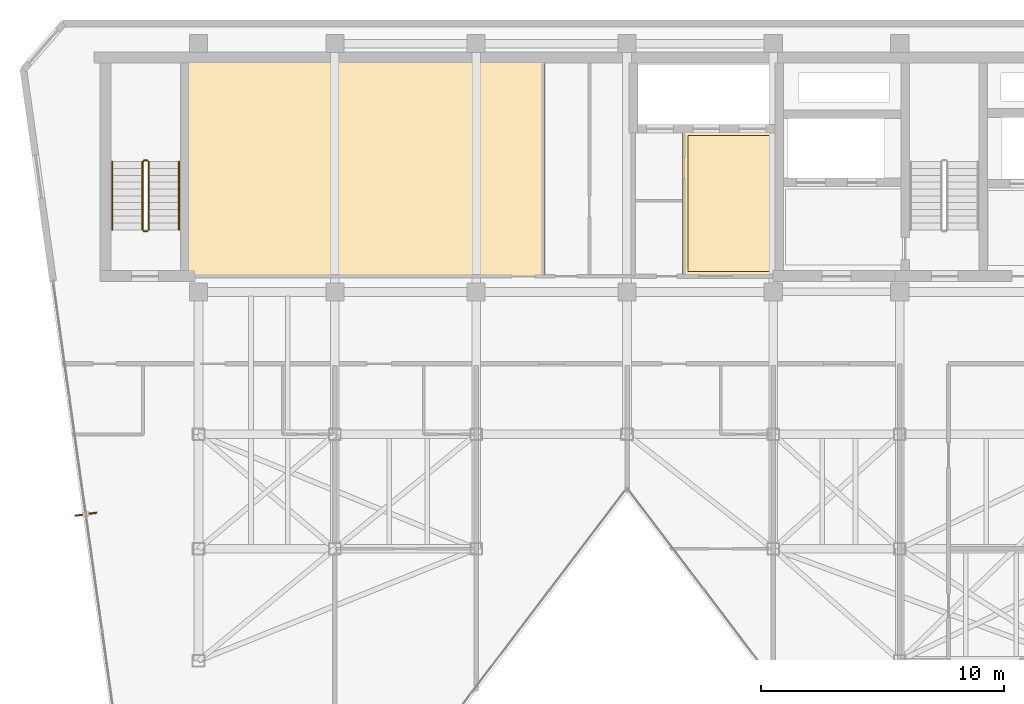
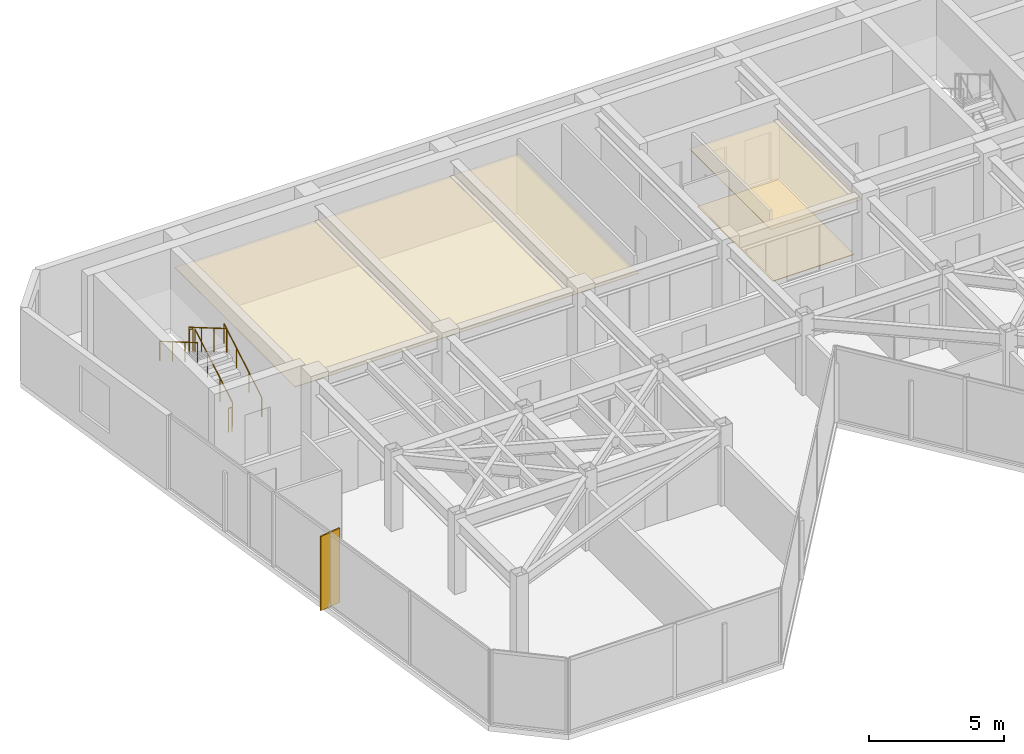
# One storey, part 19 of 20: 6 railings, 3 coverings, 1 shading device.
"""IFC4 building model written with IfcOpenShell, lengths in metres."""

from ifc_helpers import new_model, si_unit, direction, frame, origin, origin_2d, place, context, subcontext, project, spatial, polyline, rectangle, circle, outline, extrude, material, layer, layer_set, type_object, element, save


model = new_model("IFC4")

# Units and contexts
model_context = context("Model", 3, precision=1e-05, world=origin(), true_north=direction((0.0, 1.0)))
body_context = subcontext(model_context, "Body", "Model", "MODEL_VIEW")
ifc_project = project(units=[si_unit("LENGTHUNIT", "METRE"), si_unit("AREAUNIT", "SQUARE_METRE"), si_unit("VOLUMEUNIT", "CUBIC_METRE"), si_unit("PLANEANGLEUNIT", "RADIAN"), si_unit("MASSUNIT", "GRAM", prefix="KILO")], contexts=[model_context])

# Site, building, storey
site_placement = place(None, origin())
site = spatial("IfcSite", under=ifc_project, at=site_placement, CompositionType="ELEMENT")
building_placement = place(site_placement, origin())
building = spatial("IfcBuilding", under=site, at=building_placement, Name="Kravanh Interchange Tower", CompositionType="ELEMENT")
storey_placement = place(building_placement, frame((0.0, 0.0, 238.199951171875)))
storey = spatial("IfcBuildingStorey", under=building, at=storey_placement, Name="L57", CompositionType="ELEMENT", Elevation=238.199951171875)

# Coverings
ifc_material_1 = material(Name="Cementitious Terrazzo Tile")
ifc_layer_1 = layer(ifc_material_1, 0.030029296875)
ifc_layer_set_1 = layer_set([ifc_layer_1], Name="Honed Terrazzo Lobby Flooring 30mm")
covering_type_1 = type_object("IfcCoveringType", Name="Honed Terrazzo Lobby Flooring 30mm", PredefinedType="FLOORING", material=ifc_layer_set_1)
covering_1_placement = place(storey_placement, origin())
element("IfcCovering", 1, at=covering_1_placement, inside=storey, type_object=covering_type_1, Name="L57 High-Rise Lift Lobby Floor Finish", PredefinedType="FLOORING", context=body_context, shape_type="SweptSolid", body=[
    extrude(outline(polyline([(47.300048828125, 43.77001953125), (50.77001953125, 43.77001953125), (50.77001953125, 38.179931640625), (47.300048828125, 38.179931640625), (47.300048828125, 43.77001953125)])), origin(), (0.0, 0.0, 1.0), 0.030029296875),
])
ifc_material_2 = material(Name="Anodised Bronze Aluminium Acoustic Baffle", Category="aluminium")
ifc_layer_2 = layer(ifc_material_2, 0.034912109375)
ifc_layer_set_2 = layer_set([ifc_layer_2], Name="Linear Bronze Baffle Feature Ceiling 35mm")
covering_type_2 = type_object("IfcCoveringType", Name="Linear Bronze Baffle Feature Ceiling 35mm", PredefinedType="CEILING", material=ifc_layer_set_2)
covering_2_placement = place(storey_placement, frame((0.0, 0.0, 2.550048828125)))
element("IfcCovering", 2, at=covering_2_placement, inside=storey, type_object=covering_type_2, Name="L57 North Library Reading Lounge Suspended Ceiling", PredefinedType="CEILING", context=body_context, shape_type="SweptSolid", body=[
    extrude(outline(polyline([(41.429931640625, 46.889892578125), (41.429931640625, 37.9599609375), (26.7099609375, 37.9599609375), (26.7099609375, 46.889892578125), (41.429931640625, 46.889892578125)])), origin(), (0.0, 0.0, 1.0), 0.034912109375),
])
ifc_material_3 = material(Name="Acoustic Mineral Fibre Tile on Aluminium Grid", Category="aluminium")
ifc_layer_3 = layer(ifc_material_3, 0.02490234375)
ifc_layer_set_3 = layer_set([ifc_layer_3], Name="Perforated Acoustic Mineral Ceiling 25mm")
covering_type_3 = type_object("IfcCoveringType", Name="Perforated Acoustic Mineral Ceiling 25mm", PredefinedType="CEILING", material=ifc_layer_set_3)
covering_3_placement = place(storey_placement, frame((0.0, 0.0, 2.550048828125)))
element("IfcCovering", 3, at=covering_3_placement, inside=storey, type_object=covering_type_3, Name="L57 High-Rise Lift Lobby Suspended Ceiling", PredefinedType="CEILING", context=body_context, shape_type="SweptSolid", body=[
    extrude(outline(polyline([(50.989990234375, 37.9599609375), (47.080078125, 37.9599609375), (47.080078125, 43.989990234375), (50.989990234375, 43.989990234375), (50.989990234375, 37.9599609375)])), origin(), (0.0, 0.0, 1.0), 0.02490234375),
])

# Railings
ifc_material_4 = material(Name="Structural Steel S355", Category="steel")
ifc_layer_4 = layer(ifc_material_4, 0.050048828125)
ifc_layer_set_4 = layer_set([ifc_layer_4], Name="Stair Well Guardrail Structural Steel S355 1100mm")
railing_type_1 = type_object("IfcRailingType", Name="Stair Well Guardrail Structural Steel S355 1100mm", PredefinedType="GUARDRAIL", material=ifc_layer_set_4)
railing_1_placement = place(storey_placement, frame((25.14990234375, 39.89990234375, 0.16357421875)))
element("IfcRailing", 4, at=railing_1_placement, inside=storey, type_object=railing_type_1, Name="L57 ST3 stair guard 1", PredefinedType="GUARDRAIL", context=body_context, shape_type="SweptSolid", body=[
    extrude(circle(Radius=0.02392578125, at=origin_2d()), frame((0.0, 0.0, 1.076171875), z_axis=(0.0, 0.863360870873, 0.504586966384), x_axis=(-1.0, 0.0, 0.0)), (0.0, 0.0, 1.0), 3.2431640625),
    extrude(circle(Radius=0.02099609375, at=origin_2d()), origin(), (0.0, 0.0, 1.0), 1.052001953125),
    extrude(circle(Radius=0.02099609375, at=origin_2d()), frame((0.0, 0.933349609375, 0.54541015625)), (0.0, 0.0, 1.0), 1.052001953125),
    extrude(circle(Radius=0.02099609375, at=origin_2d()), frame((0.0, 1.86669921875, 1.091064453125)), (0.0, 0.0, 1.0), 1.052001953125),
    extrude(circle(Radius=0.02099609375, at=origin_2d()), frame((0.0, 2.800048828125, 1.636474609375)), (0.0, 0.0, 1.0), 1.052001953125),
])
railing_2_placement = place(storey_placement, frame((25.10009765625, 42.75, 1.800048828125)))
element("IfcRailing", 5, at=railing_2_placement, inside=storey, type_object=railing_type_1, Name="L57 ST3 stair guard 2", PredefinedType="GUARDRAIL", context=body_context, shape_type="SweptSolid", body=[
    extrude(circle(Radius=0.02392578125, at=origin_2d()), frame((0.0, 0.0, 1.076171875), z_axis=(-1.0, 0.0, 0.0), x_axis=(0.0, -1.0, 0.0)), (0.0, 0.0, 1.0), 0.150146484375),
    extrude(circle(Radius=0.02099609375, at=origin_2d()), origin(), (0.0, 0.0, 1.0), 1.052001953125),
    extrude(circle(Radius=0.02099609375, at=origin_2d()), frame((-0.150146484375, 0.0, 0.0)), (0.0, 0.0, 1.0), 1.052001953125),
])
railing_3_placement = place(storey_placement, frame((24.89990234375, 42.699951171875, 1.963623046875)))
element("IfcRailing", 6, at=railing_3_placement, inside=storey, type_object=railing_type_1, Name="L57 ST3 stair guard 3", PredefinedType="GUARDRAIL", context=body_context, shape_type="SweptSolid", body=[
    extrude(circle(Radius=0.02392578125, at=origin_2d()), frame((0.0, 0.0, 1.076171875), z_axis=(0.0, -0.863360870873, 0.504586966384), x_axis=(1.0, 0.0, 0.0)), (0.0, 0.0, 1.0), 3.2431640625),
    extrude(circle(Radius=0.02099609375, at=origin_2d()), origin(), (0.0, 0.0, 1.0), 1.052001953125),
    extrude(circle(Radius=0.02099609375, at=origin_2d()), frame((0.0, -0.933349609375, 0.54541015625)), (0.0, 0.0, 1.0), 1.052001953125),
    extrude(circle(Radius=0.02099609375, at=origin_2d()), frame((0.0, -1.86669921875, 1.091064453125)), (0.0, 0.0, 1.0), 1.052001953125),
    extrude(circle(Radius=0.02099609375, at=origin_2d()), frame((0.0, -2.800048828125, 1.636474609375)), (0.0, 0.0, 1.0), 1.052001953125),
])
railing_4_placement = place(storey_placement, frame((25.10009765625, 39.85009765625, 0.0)))
element("IfcRailing", 7, at=railing_4_placement, inside=storey, type_object=railing_type_1, Name="L57 ST3 stair guard 4", PredefinedType="GUARDRAIL", context=body_context, shape_type="SweptSolid", body=[
    extrude(circle(Radius=0.02392578125, at=origin_2d()), frame((0.0, 0.0, 1.076171875), z_axis=(-1.0, 0.0, 0.0), x_axis=(0.0, -1.0, 0.0)), (0.0, 0.0, 1.0), 0.150146484375),
    extrude(circle(Radius=0.02099609375, at=origin_2d()), origin(), (0.0, 0.0, 1.0), 1.052001953125),
    extrude(circle(Radius=0.02099609375, at=origin_2d()), frame((-0.150146484375, 0.0, 0.0)), (0.0, 0.0, 1.0), 1.052001953125),
])
ifc_material_5 = material(Name="Stainless Steel 304", Category="steel")
ifc_layer_5 = layer(ifc_material_5, 0.044921875)
ifc_layer_set_5 = layer_set([ifc_layer_5], Name="Tubular Stair Handrail Stainless 304 900mm")
railing_type_2 = type_object("IfcRailingType", Name="Tubular Stair Handrail Stainless 304 900mm", PredefinedType="HANDRAIL", material=ifc_layer_set_5)
railing_5_placement = place(storey_placement, frame((26.39990234375, 39.89990234375, 0.16357421875)))
element("IfcRailing", 8, at=railing_5_placement, inside=storey, type_object=railing_type_2, Name="L57 ST3 stair handrail 1", PredefinedType="HANDRAIL", context=body_context, shape_type="SweptSolid", body=[
    extrude(circle(Radius=0.02392578125, at=origin_2d()), frame((0.0, 0.0, 0.8759765625), z_axis=(0.0, 0.863360870873, 0.504586966384), x_axis=(-1.0, 0.0, 0.0)), (0.0, 0.0, 1.0), 3.2431640625),
    extrude(circle(Radius=0.02099609375, at=origin_2d()), origin(), (0.0, 0.0, 1.0), 0.851806640625),
    extrude(circle(Radius=0.02099609375, at=origin_2d()), frame((0.0, 0.933349609375, 0.54541015625)), (0.0, 0.0, 1.0), 0.851806640625),
    extrude(circle(Radius=0.02099609375, at=origin_2d()), frame((0.0, 1.86669921875, 1.091064453125)), (0.0, 0.0, 1.0), 0.851806640625),
    extrude(circle(Radius=0.02099609375, at=origin_2d()), frame((0.0, 2.800048828125, 1.636474609375)), (0.0, 0.0, 1.0), 0.851806640625),
])
railing_6_placement = place(storey_placement, frame((23.64990234375, 42.699951171875, 1.963623046875)))
element("IfcRailing", 9, at=railing_6_placement, inside=storey, type_object=railing_type_2, Name="L57 ST3 stair handrail 2", PredefinedType="HANDRAIL", context=body_context, shape_type="SweptSolid", body=[
    extrude(circle(Radius=0.02392578125, at=origin_2d()), frame((0.0, 0.0, 0.8759765625), z_axis=(0.0, -0.863360870873, 0.504586966384), x_axis=(1.0, 0.0, 0.0)), (0.0, 0.0, 1.0), 3.2431640625),
    extrude(circle(Radius=0.02099609375, at=origin_2d()), origin(), (0.0, 0.0, 1.0), 0.851806640625),
    extrude(circle(Radius=0.02099609375, at=origin_2d()), frame((0.0, -0.933349609375, 0.54541015625)), (0.0, 0.0, 1.0), 0.851806640625),
    extrude(circle(Radius=0.02099609375, at=origin_2d()), frame((0.0, -1.86669921875, 1.091064453125)), (0.0, 0.0, 1.0), 0.851806640625),
    extrude(circle(Radius=0.02099609375, at=origin_2d()), frame((0.0, -2.800048828125, 1.636474609375)), (0.0, 0.0, 1.0), 0.851806640625),
])

# Shading device
ifc_material_6 = material(Name="Anodised Champagne Bronze Aluminium", Category="aluminium")
ifc_layer_6 = layer(ifc_material_6, 0.06005859375)
ifc_layer_set_6 = layer_set([ifc_layer_6], Name="Vertical Bronze Solar Fin 900mm")
shading_device_type = type_object("IfcShadingDeviceType", Name="Vertical Bronze Solar Fin 900mm", PredefinedType="USERDEFINED", material=ifc_layer_set_6)
shading_device_placement = place(storey_placement, frame((22.5712890625, 28.220703125, 0.0), z_axis=(0.0, 0.0, 1.0), x_axis=(-0.990267924056, -0.139174130448, 0.0)))
element("IfcShadingDevice", 10, at=shading_device_placement, inside=storey, type_object=shading_device_type, Name="L57 BRONZE SOLAR FIN 1", ObjectType="FIN", PredefinedType="USERDEFINED", context=body_context, shape_type="SweptSolid", body=[
    extrude(rectangle(XDim=0.89990234375, YDim=0.06005859375, at=origin_2d()), origin(), (0.0, 0.0, 1.0), 3.360107421875),
])

save(model, "model.ifc")
